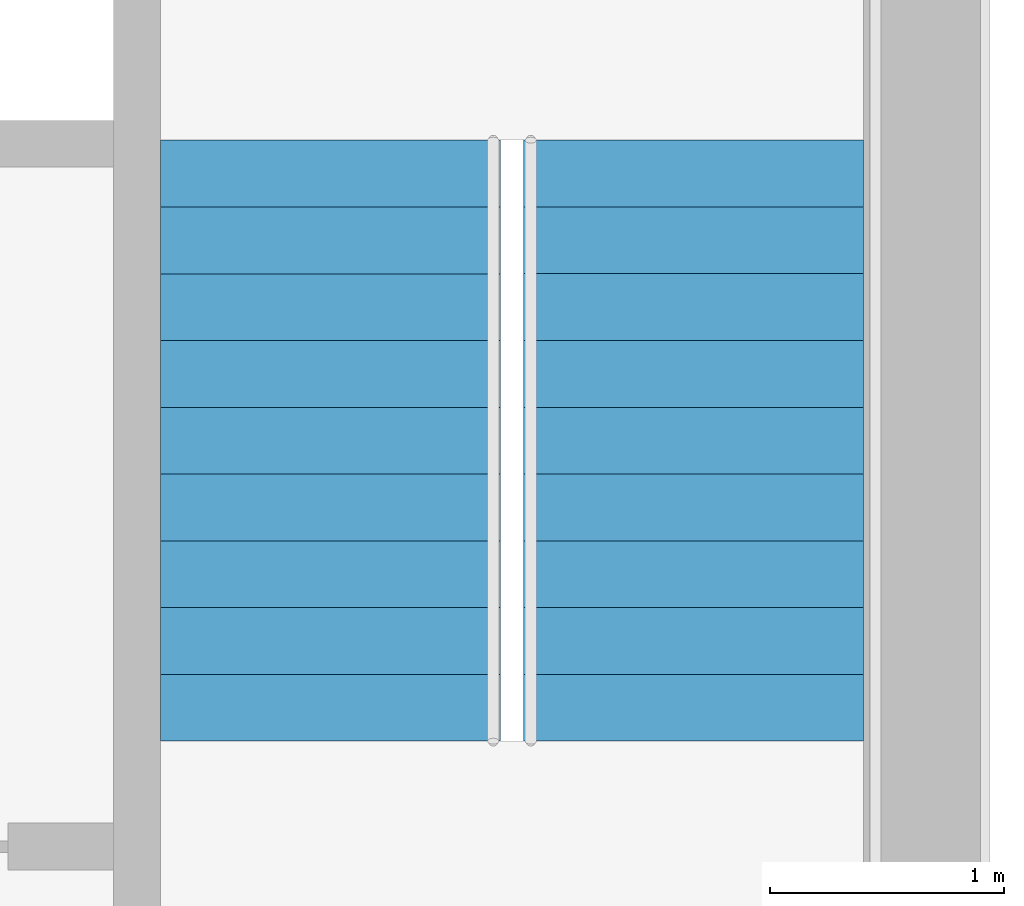
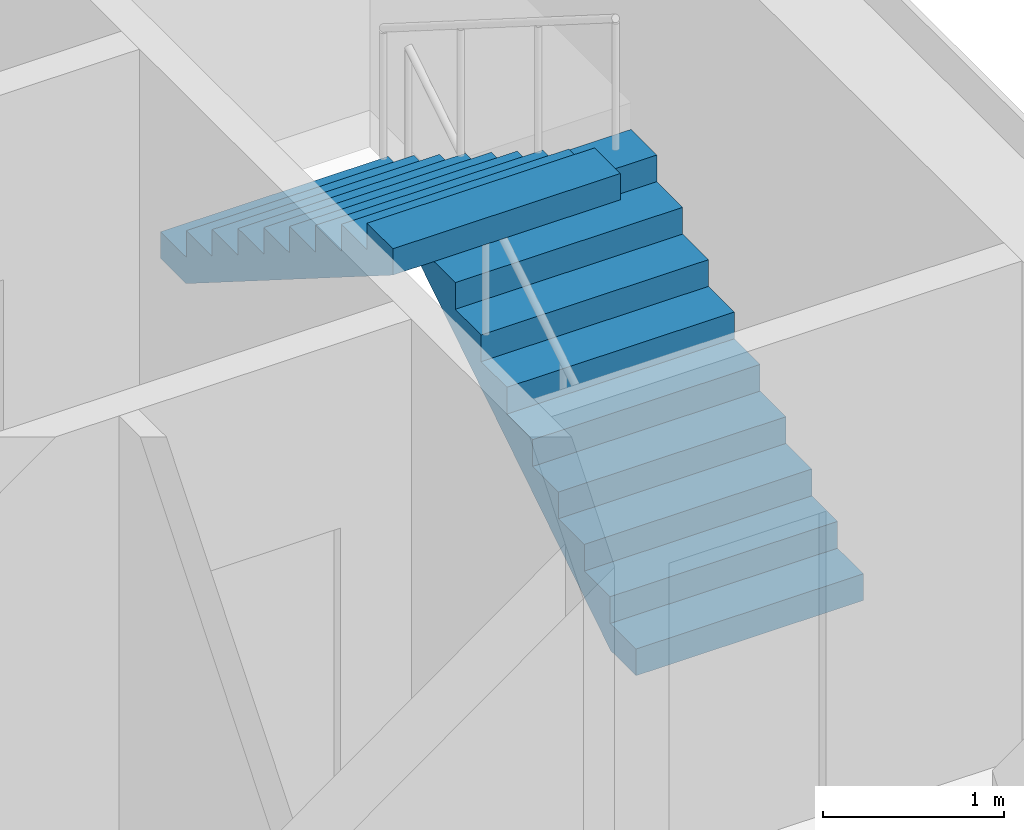
# One storey, part 39 of 40: 2 stair flights, 1 element without a shape of its own.
"""IFC4 building model written with IfcOpenShell, lengths in metres."""

from ifc_helpers import new_model, si_unit, direction, frame, origin, place, context, subcontext, project, spatial, polyline, outline, extrude, material, type_object, element, aggregate, save


model = new_model("IFC4")

# Units and contexts
model_context = context("Model", 3, precision=1e-05, world=origin(), true_north=direction((0.0, 1.0)))
body_context = subcontext(model_context, "Body", "Model", "MODEL_VIEW")
ifc_project = project(units=[si_unit("LENGTHUNIT", "METRE"), si_unit("AREAUNIT", "SQUARE_METRE"), si_unit("VOLUMEUNIT", "CUBIC_METRE"), si_unit("PLANEANGLEUNIT", "RADIAN"), si_unit("MASSUNIT", "GRAM", prefix="KILO")], contexts=[model_context])

# Site, building, storey
site_placement = place(None, origin())
site = spatial("IfcSite", under=ifc_project, at=site_placement, CompositionType="ELEMENT")
building_placement = place(site_placement, origin())
building = spatial("IfcBuilding", under=site, at=building_placement, Name="Altepetl Exchange Towers", CompositionType="ELEMENT")
storey_placement = place(building_placement, frame((0.0, 0.0, 199.199951171875)))
storey = spatial("IfcBuildingStorey", under=building, at=storey_placement, Name="L50", CompositionType="ELEMENT", Elevation=199.199951171875)

# Stair, stair flights
ifc_material = material(Name="Concrete C40/50", Category="concrete")
stair_type = type_object("IfcStairType", Name="Exit stair 1450 flights dogleg", PredefinedType="HALF_TURN_STAIR", material=ifc_material)
stair_placement = place(storey_placement, origin())
stair = element("IfcStair", 1, at=stair_placement, inside=storey, type_object=stair_type, Name="Exit stair 2", PredefinedType="HALF_TURN_STAIR")
stair_flight_type = type_object("IfcStairFlightType", Name="Stair flight 1450 wide", PredefinedType="STRAIGHT", material=ifc_material)
stair_flight_1_placement = place(storey_placement, frame((115.77490234375, 43.550048828125, 0.0), z_axis=(0.0, 0.0, 1.0), x_axis=(0.0, 1.0, 0.0)))
stair_flight_1 = element("IfcStairFlight", 2, at=stair_flight_1_placement, type_object=stair_flight_type, Name="ST-B2f flight 1", NumberOfRisers=10, NumberOfTreads=9, PredefinedType="STRAIGHT", RiserHeight=0.18, TreadLength=0.285, context=body_context, shape_type="SweptSolid", body=[
    extrude(outline(polyline([(0.0, 0.0), (0.0, 0.179931640625), (0.284912109375, 0.179931640625), (0.284912109375, 0.360107421875), (0.570068359375, 0.360107421875), (0.570068359375, 0.5400390625), (0.85498046875, 0.5400390625), (0.85498046875, 0.719970703125), (1.139892578125, 0.719970703125), (1.139892578125, 0.89990234375), (1.425048828125, 0.89990234375), (1.425048828125, 1.080078125), (1.7099609375, 1.080078125), (1.7099609375, 1.260009765625), (1.9951171875, 1.260009765625), (1.9951171875, 1.43994140625), (2.280029296875, 1.43994140625), (2.280029296875, 1.6201171875), (2.56494140625, 1.6201171875), (2.56494140625, 1.800048828125), (2.56494140625, 1.442626953125), (0.28076171875, 0.0), (0.0, 0.0)])), frame((0.0, 0.72509765625, 0.0), z_axis=(0.0, -1.0, 0.0), x_axis=(1.0, 0.0, 0.0)), (0.0, 0.0, 1.0), 1.449951171875),
])
stair_flight_2_placement = place(storey_placement, frame((114.22509765625, 46.114990234375, 1.800048828125), z_axis=(0.0, 0.0, 1.0), x_axis=(0.0, -1.0, 0.0)))
stair_flight_2 = element("IfcStairFlight", 3, at=stair_flight_2_placement, type_object=stair_flight_type, Name="ST-B2f flight 2", NumberOfRisers=10, NumberOfTreads=9, PredefinedType="STRAIGHT", RiserHeight=0.18, TreadLength=0.285, context=body_context, shape_type="SweptSolid", body=[
    extrude(outline(polyline([(0.0, 0.0), (0.0, 0.179931640625), (0.284912109375, 0.179931640625), (0.284912109375, 0.360107421875), (0.570068359375, 0.360107421875), (0.570068359375, 0.5400390625), (0.85498046875, 0.5400390625), (0.85498046875, 0.719970703125), (1.139892578125, 0.719970703125), (1.139892578125, 0.89990234375), (1.425048828125, 0.89990234375), (1.425048828125, 1.080078125), (1.7099609375, 1.080078125), (1.7099609375, 1.260009765625), (1.9951171875, 1.260009765625), (1.9951171875, 1.43994140625), (2.280029296875, 1.43994140625), (2.280029296875, 1.6201171875), (2.56494140625, 1.6201171875), (2.56494140625, 1.800048828125), (2.56494140625, 1.442626953125), (0.28076171875, 0.0), (0.0, 0.0)])), frame((0.0, 0.72509765625, 0.0), z_axis=(0.0, -1.0, 0.0), x_axis=(1.0, 0.0, 0.0)), (0.0, 0.0, 1.0), 1.449951171875),
])
aggregate(stair, [stair_flight_1, stair_flight_2])

save(model, "model.ifc")
